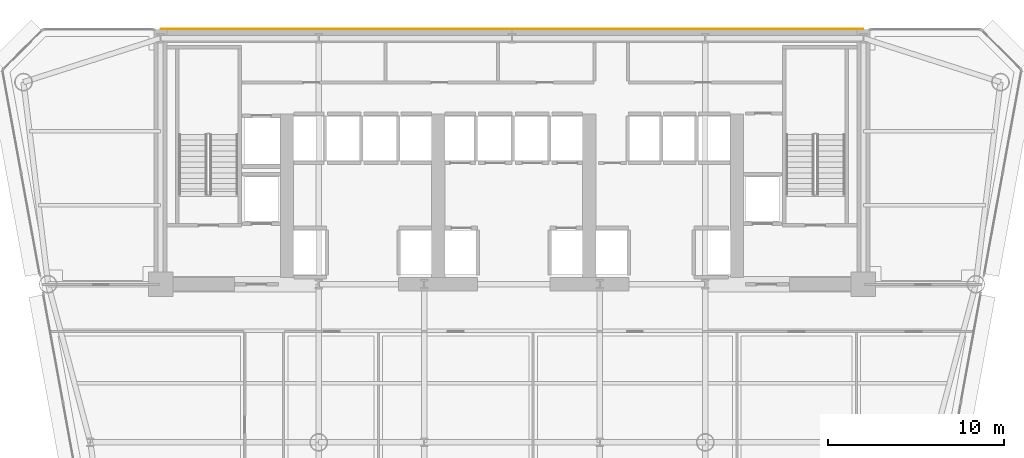
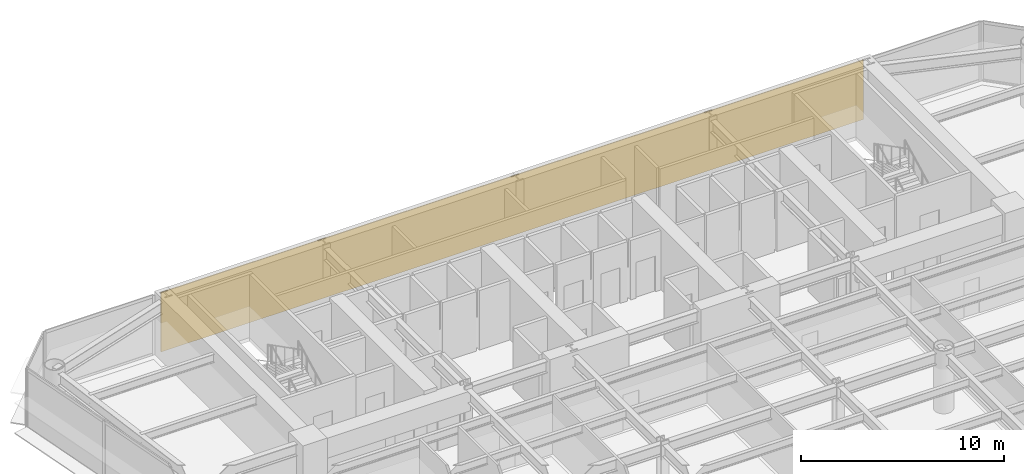
# One storey, part 14 of 15: 1 covering.
"""IFC4 building model written with IfcOpenShell, lengths in metres."""

from ifc_helpers import new_model, si_unit, direction, frame, origin, place, context, subcontext, project, spatial, polyline, outline, extrude, material, layer, layer_set, type_object, element, save


model = new_model("IFC4")

# Units and contexts
model_context = context("Model", 3, precision=1e-05, world=origin(), true_north=direction((0.0, 1.0)))
body_context = subcontext(model_context, "Body", "Model", "MODEL_VIEW")
ifc_project = project(units=[si_unit("LENGTHUNIT", "METRE"), si_unit("AREAUNIT", "SQUARE_METRE"), si_unit("VOLUMEUNIT", "CUBIC_METRE"), si_unit("PLANEANGLEUNIT", "RADIAN"), si_unit("MASSUNIT", "GRAM", prefix="KILO")], contexts=[model_context])

# Site, building, storey
site_placement = place(None, origin())
site = spatial("IfcSite", under=ifc_project, at=site_placement, CompositionType="ELEMENT")
building_placement = place(site_placement, origin())
building = spatial("IfcBuilding", under=site, at=building_placement, Name="Vaeldorn Concourse Tower", CompositionType="ELEMENT")
storey_placement = place(building_placement, frame((0.0, 0.0, 103.39990234375)))
storey = spatial("IfcBuildingStorey", under=building, at=storey_placement, Name="L26", CompositionType="ELEMENT", Elevation=103.39990234375)

# Covering
ifc_material = material(Name="Anodised Bronze Aluminium", Category="aluminium")
ifc_layer = layer(ifc_material, 0.050048828125)
ifc_layer_set = layer_set([ifc_layer], Name="Anodised Bronze Aluminium")
covering_type = type_object("IfcCoveringType", Name="COV-CLAD-BRONZE", PredefinedType="CLADDING", material=ifc_layer_set)
covering_placement = place(storey_placement, origin())
element("IfcCovering", 1, at=covering_placement, inside=storey, type_object=covering_type, Name="Rear Core Bronze Spandrel Cladding L26", PredefinedType="CLADDING", context=body_context, shape_type="SweptSolid", body=[
    extrude(outline(polyline([(14.0, 51.0), (54.0, 51.0), (54.0, 51.050048828125), (14.0, 51.050048828125), (14.0, 51.0)])), origin(), (0.0, 0.0, 1.0), 3.580078125),
])

save(model, "model.ifc")
